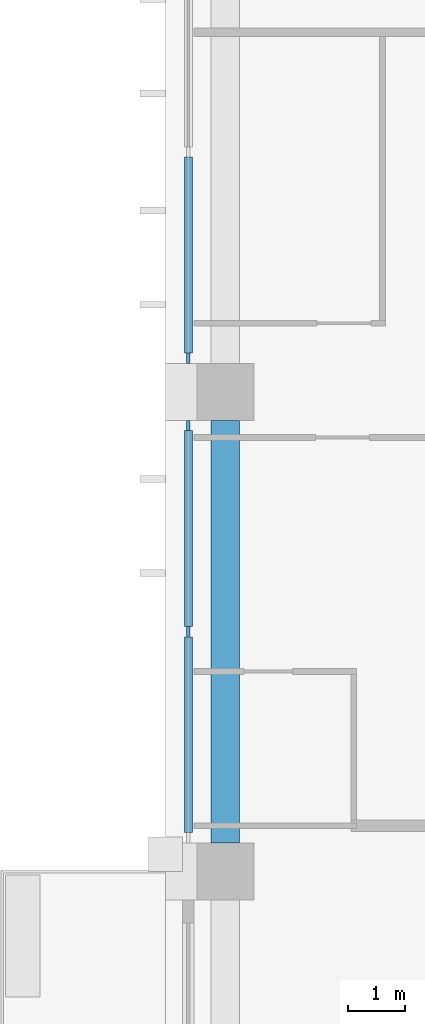
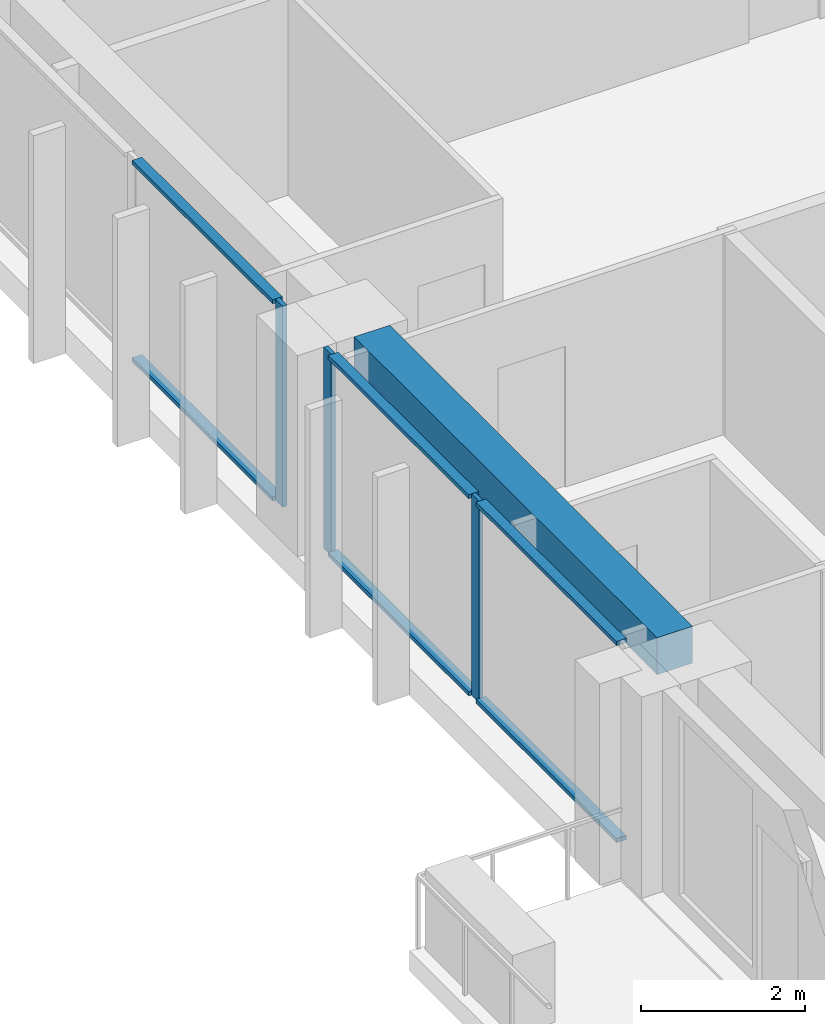
# One storey, part 3 of 19: 9 members, 1 beam, 2 elements without a shape of their own.
"""IFC4 building model written with IfcOpenShell, lengths in metres."""

from ifc_helpers import new_model, si_unit, direction, frame, origin, origin_2d, place, context, subcontext, project, spatial, rectangle, extrude, material, material_profile, profile_set, type_object, element, aggregate, save


model = new_model("IFC4")

# Units and contexts
model_context = context("Model", 3, precision=1e-05, world=origin(), true_north=direction((0.0, 1.0)))
body_context = subcontext(model_context, "Body", "Model", "MODEL_VIEW")
ifc_project = project(units=[si_unit("LENGTHUNIT", "METRE"), si_unit("AREAUNIT", "SQUARE_METRE"), si_unit("VOLUMEUNIT", "CUBIC_METRE"), si_unit("PLANEANGLEUNIT", "RADIAN"), si_unit("MASSUNIT", "GRAM", prefix="KILO")], contexts=[model_context])

# Site, building, storey
site_placement = place(None, origin())
site = spatial("IfcSite", under=ifc_project, at=site_placement, CompositionType="ELEMENT")
building_placement = place(site_placement, origin())
building = spatial("IfcBuilding", under=site, at=building_placement, Name="Vermilion Ogive Tower", CompositionType="ELEMENT")
storey_placement = place(building_placement, frame((0.0, 0.0, 213.5)))
storey = spatial("IfcBuildingStorey", under=building, at=storey_placement, Name="L56", CompositionType="ELEMENT", Elevation=213.5)

# Curtain wall, member
ifc_material_1 = material(Name="Low-iron laminated glazing in aluminium frame", Category="aluminium")
curtain_wall_type = type_object("IfcCurtainWallType", Name="Curtain wall CW7", PredefinedType="NOTDEFINED", material=ifc_material_1)
curtain_wall_1_placement = place(storey_placement, origin())
curtain_wall_1 = element("IfcCurtainWall", 1, at=curtain_wall_1_placement, inside=storey, type_object=curtain_wall_type, Name="Glazed skin W1", PredefinedType="NOTDEFINED")
ifc_material_2 = material(Name="Aluminium mullion", Category="aluminium")
ifc_material_profile_1 = material_profile(ifc_material_2, rectangle(XDim=0.06005859375, YDim=0.179931640625, at=origin_2d()), Name="AL 60x180")
ifc_profile_set_1 = profile_set([ifc_material_profile_1], Name="Aluminium mullion")
member_type_1 = type_object("IfcMemberType", Name="CW7 mullion 60x180", PredefinedType="MULLION", material=ifc_profile_set_1)
member_1_placement = place(storey_placement, frame((-25.85009765625, 4.7900390625, 0.0), z_axis=(0.0, 0.0, 1.0), x_axis=(1.0, 0.0, 0.0)))
member_1 = element("IfcMember", 2, at=member_1_placement, type_object=member_type_1, Name="CW7-W1 mullion 3", PredefinedType="MULLION", context=body_context, shape_type="SweptSolid", body=[
    extrude(rectangle(XDim=0.06005859375, YDim=0.179931640625, at=origin_2d()), origin(), (0.0, 0.0, 1.0), 3.0),
])

# Curtain wall, members
curtain_wall_2_placement = place(storey_placement, origin())
curtain_wall_2 = element("IfcCurtainWall", 3, at=curtain_wall_2_placement, inside=storey, type_object=curtain_wall_type, Name="Glazed skin W2", PredefinedType="NOTDEFINED")
member_2_placement = place(storey_placement, frame((-25.85009765625, 3.610107421875, 0.0), z_axis=(0.0, 0.0, 1.0), x_axis=(1.0, 0.0, 0.0)))
member_2 = element("IfcMember", 4, at=member_2_placement, type_object=member_type_1, Name="CW7-W2 mullion 1", PredefinedType="MULLION", context=body_context, shape_type="SweptSolid", body=[
    extrude(rectangle(XDim=0.06005859375, YDim=0.179931640625, at=origin_2d()), origin(), (0.0, 0.0, 1.0), 3.0),
])
member_3_placement = place(storey_placement, frame((-25.85009765625, 0.0, 0.0), z_axis=(0.0, 0.0, 1.0), x_axis=(1.0, 0.0, 0.0)))
member_3 = element("IfcMember", 5, at=member_3_placement, type_object=member_type_1, Name="CW7-W2 mullion 2", PredefinedType="MULLION", context=body_context, shape_type="SweptSolid", body=[
    extrude(rectangle(XDim=0.06005859375, YDim=0.179931640625, at=origin_2d()), origin(), (0.0, 0.0, 1.0), 3.0),
])

# Member
ifc_material_3 = material(Name="Aluminium transom", Category="aluminium")
ifc_material_profile_2 = material_profile(ifc_material_3, rectangle(XDim=0.139892578125, YDim=0.06005859375, at=origin_2d()), Name="AL 60x140")
ifc_profile_set_2 = profile_set([ifc_material_profile_2], Name="Aluminium transom")
member_type_2 = type_object("IfcMemberType", Name="CW7 transom 60x140", PredefinedType="USERDEFINED", material=ifc_profile_set_2)
member_4_placement = place(storey_placement, frame((-25.85009765625, 8.31005859375, 0.030029296875), z_axis=(0.0, -1.0, 0.0), x_axis=(1.0, 0.0, 0.0)))
member_4 = element("IfcMember", 6, at=member_4_placement, type_object=member_type_2, Name="CW7-W1 transom 2.1", ObjectType="TRANSOM", PredefinedType="USERDEFINED", context=body_context, shape_type="SweptSolid", body=[
    extrude(rectangle(XDim=0.139892578125, YDim=0.06005859375, at=origin_2d()), origin(), (0.0, 0.0, 1.0), 3.43017578125),
])

member_5_placement = place(storey_placement, frame((-25.85009765625, 8.31005859375, 2.969970703125), z_axis=(0.0, -1.0, 0.0), x_axis=(1.0, 0.0, 0.0)))
member_5 = element("IfcMember", 7, at=member_5_placement, type_object=member_type_2, Name="CW7-W1 transom 2.2", ObjectType="TRANSOM", PredefinedType="USERDEFINED", context=body_context, shape_type="SweptSolid", body=[
    extrude(rectangle(XDim=0.139892578125, YDim=0.06005859375, at=origin_2d()), origin(), (0.0, 0.0, 1.0), 3.43017578125),
])

aggregate(curtain_wall_1, [member_1, member_4, member_5])

member_6_placement = place(storey_placement, frame((-25.85009765625, 3.52001953125, 0.030029296875), z_axis=(0.0, -1.0, 0.0), x_axis=(1.0, 0.0, 0.0)))
member_6 = element("IfcMember", 8, at=member_6_placement, type_object=member_type_2, Name="CW7-W2 transom 1.1", ObjectType="TRANSOM", PredefinedType="USERDEFINED", context=body_context, shape_type="SweptSolid", body=[
    extrude(rectangle(XDim=0.139892578125, YDim=0.06005859375, at=origin_2d()), origin(), (0.0, 0.0, 1.0), 3.429931640625),
])

member_7_placement = place(storey_placement, frame((-25.85009765625, 3.52001953125, 2.969970703125), z_axis=(0.0, -1.0, 0.0), x_axis=(1.0, 0.0, 0.0)))
member_7 = element("IfcMember", 9, at=member_7_placement, type_object=member_type_2, Name="CW7-W2 transom 1.2", ObjectType="TRANSOM", PredefinedType="USERDEFINED", context=body_context, shape_type="SweptSolid", body=[
    extrude(rectangle(XDim=0.139892578125, YDim=0.06005859375, at=origin_2d()), origin(), (0.0, 0.0, 1.0), 3.429931640625),
])

member_8_placement = place(storey_placement, frame((-25.85009765625, -0.090087890625, 0.030029296875), z_axis=(0.0, -1.0, 0.0), x_axis=(1.0, 0.0, 0.0)))
member_8 = element("IfcMember", 10, at=member_8_placement, type_object=member_type_2, Name="CW7-W2 transom 2.1", ObjectType="TRANSOM", PredefinedType="USERDEFINED", context=body_context, shape_type="SweptSolid", body=[
    extrude(rectangle(XDim=0.139892578125, YDim=0.06005859375, at=origin_2d()), origin(), (0.0, 0.0, 1.0), 3.429931640625),
])

member_9_placement = place(storey_placement, frame((-25.85009765625, -0.090087890625, 2.969970703125), z_axis=(0.0, -1.0, 0.0), x_axis=(1.0, 0.0, 0.0)))
member_9 = element("IfcMember", 11, at=member_9_placement, type_object=member_type_2, Name="CW7-W2 transom 2.2", ObjectType="TRANSOM", PredefinedType="USERDEFINED", context=body_context, shape_type="SweptSolid", body=[
    extrude(rectangle(XDim=0.139892578125, YDim=0.06005859375, at=origin_2d()), origin(), (0.0, 0.0, 1.0), 3.429931640625),
])

aggregate(curtain_wall_2, [member_2, member_3, member_6, member_7, member_8, member_9])

# Beam
ifc_material_4 = material(Name="Concrete B45", Category="concrete")
ifc_material_profile_3 = material_profile(ifc_material_4, rectangle(XDim=0.5, YDim=0.550048828125, at=origin_2d()), Name="500 x 550")
ifc_profile_set_3 = profile_set([ifc_material_profile_3], Name="Concrete B45")
beam_type = type_object("IfcBeamType", Name="Edge beam 500 x 550 B45", PredefinedType="BEAM", material=ifc_profile_set_3)
beam_placement = place(storey_placement, frame((-25.199951171875, 3.699951171875, 2.72509765625), z_axis=(0.0, -1.0, 0.0), x_axis=(1.0, 0.0, 0.0)))
element("IfcBeam", 12, at=beam_placement, inside=storey, type_object=beam_type, Name="L56-EB-15", PredefinedType="BEAM", context=body_context, shape_type="SweptSolid", body=[
    extrude(rectangle(XDim=0.5, YDim=0.550048828125, at=origin_2d()), origin(), (0.0, 0.0, 1.0), 7.39990234375),
])

save(model, "model.ifc")
